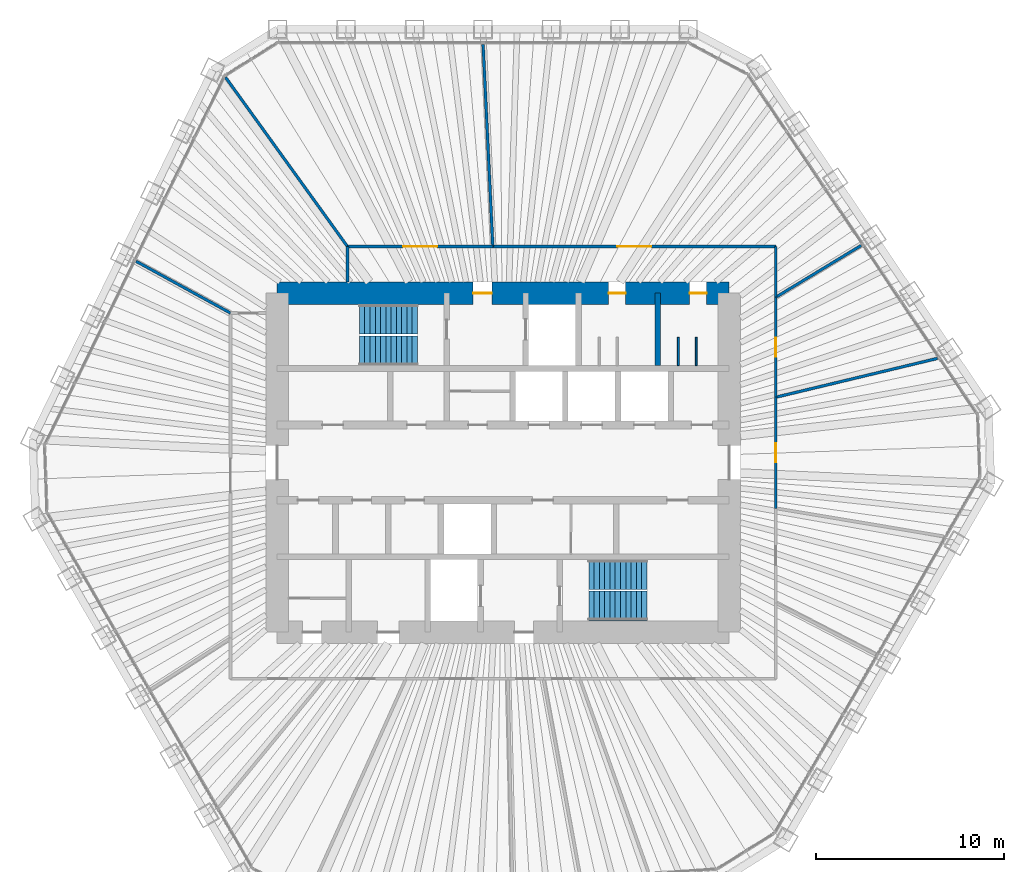
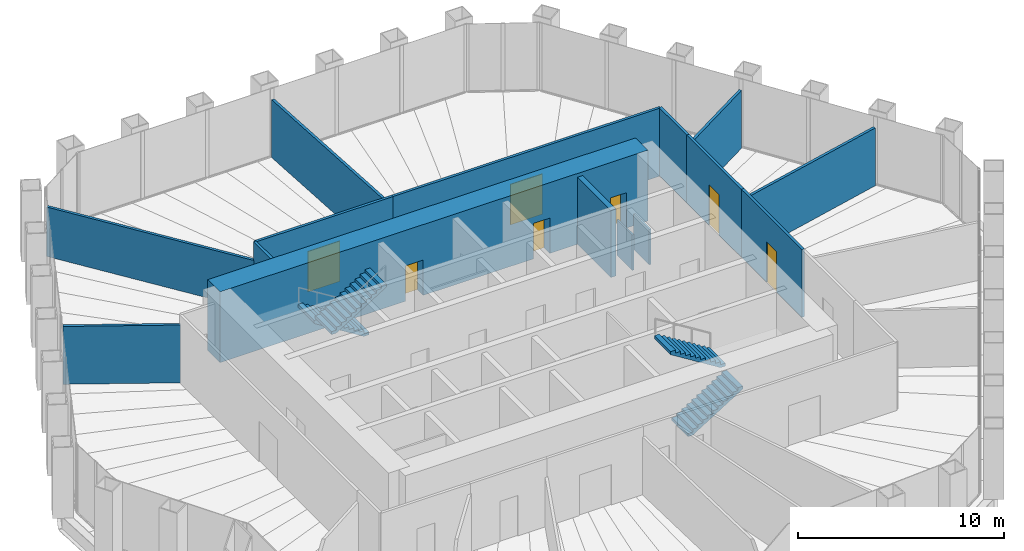
# One storey, part 12 of 13: 15 walls, 7 doors, 4 stair flights, 7 openings, 2 elements without a shape of their own.
"""IFC4 building model written with IfcOpenShell, lengths in metres."""

from ifc_helpers import new_model, si_unit, direction, frame, frame_2d, origin, place, context, subcontext, project, spatial, polyline, rectangle, outline, extrude, material, layer, layer_set, type_object, element, fill, aggregate, save


model = new_model("IFC4")

# Units and contexts
model_context = context("Model", 3, precision=1e-05, world=origin(), true_north=direction((0.0, 1.0)))
body_context = subcontext(model_context, "Body", "Model", "MODEL_VIEW")
ifc_project = project(units=[si_unit("LENGTHUNIT", "METRE"), si_unit("AREAUNIT", "SQUARE_METRE"), si_unit("VOLUMEUNIT", "CUBIC_METRE"), si_unit("PLANEANGLEUNIT", "RADIAN"), si_unit("MASSUNIT", "GRAM", prefix="KILO")], contexts=[model_context])

# Site, building, storey
site_placement = place(None, origin())
site = spatial("IfcSite", under=ifc_project, at=site_placement, CompositionType="ELEMENT")
building_placement = place(site_placement, origin())
building = spatial("IfcBuilding", under=site, at=building_placement, Name="Qingtian Harvest Tower", CompositionType="ELEMENT")
storey_placement = place(building_placement, frame((0.0, 0.0, 226.60009765625)))
storey = spatial("IfcBuildingStorey", under=building, at=storey_placement, Name="L49", CompositionType="ELEMENT", Elevation=226.60009765625)

# Wall
ifc_material_1 = material(Name="Precast concrete shaft panel", Category="concrete")
ifc_layer_1 = layer(ifc_material_1, 0.300048828125)
ifc_layer_set_1 = layer_set([ifc_layer_1], Name="Core shaft partition SW1 300")
wall_type_1 = type_object("IfcWallType", Name="Core shaft partition SW1 300", PredefinedType="PARTITIONING", material=ifc_layer_set_1)
wall_1_placement = place(storey_placement, frame((8.199951171875, 5.14990234375, 0.0), z_axis=(0.0, 0.0, 1.0), x_axis=(0.0, 1.0, 0.0)))
element("IfcWall", 1, at=wall_1_placement, inside=storey, type_object=wall_type_1, Name="Core shaft partition XN4 L49", PredefinedType="PARTITIONING", context=body_context, shape_type="SweptSolid", body=[
    extrude(rectangle(XDim=3.85009765625, YDim=0.300048828125, at=frame_2d((1.925048828125, 0.0))), origin(), (0.0, 0.0, 1.0), 3.97998046875),
])

# Wall, openings, doors
ifc_material_2 = material(Name="Concrete fc' 70 MPa", Category="concrete")
ifc_layer_2 = layer(ifc_material_2, 1.199951171875)
ifc_layer_set_2 = layer_set([ifc_layer_2], Name="Core wall RC2 1200")
wall_type_2 = type_object("IfcWallType", Name="Core wall RC2 1200", PredefinedType="SHEAR", material=ifc_layer_set_2)
wall_2_placement = place(storey_placement, frame((-12.0, 9.0, 0.0), z_axis=(0.0, 0.0, 1.0), x_axis=(1.0, 0.0, 0.0)))
wall_2 = element("IfcWall", 2, at=wall_2_placement, inside=storey, type_object=wall_type_2, Name="Core wall CN L49", PredefinedType="SHEAR", context=body_context, shape_type="SweptSolid", body=[
    extrude(rectangle(XDim=24.0, YDim=1.199951171875, at=frame_2d((12.0, 0.0))), origin(), (0.0, 0.0, 1.0), 4.199951171875),
])
opening_1_placement = place(wall_2_placement, frame((10.39990234375, 0.0, 0.0)))
opening_1 = element("IfcOpeningElement", 3, at=opening_1_placement, cuts=wall_2, Name="Opening FD1", PredefinedType="OPENING", context=body_context, shape_type="SweptSolid", body=[
    extrude(rectangle(XDim=1.0, YDim=2.10009765625, at=frame_2d((0.5, 1.050048828125))), frame((0.0, 0.60986328125, 0.0), z_axis=(0.0, -1.0, 0.0), x_axis=(1.0, 0.0, 0.0)), (0.0, 0.0, 1.0), 1.219970703125),
])
opening_2_placement = place(wall_2_placement, frame((17.60009765625, 0.0, 0.0)))
opening_2 = element("IfcOpeningElement", 4, at=opening_2_placement, cuts=wall_2, Name="Opening D1", PredefinedType="OPENING", context=body_context, shape_type="SweptSolid", body=[
    extrude(rectangle(XDim=0.89990234375, YDim=2.10009765625, at=frame_2d((0.449951171875, 1.050048828125))), frame((0.0, 0.60986328125, 0.0), z_axis=(0.0, -1.0, 0.0), x_axis=(1.0, 0.0, 0.0)), (0.0, 0.0, 1.0), 1.219970703125),
])
opening_3_placement = place(wall_2_placement, frame((21.89990234375, 0.0, 0.0)))
opening_3 = element("IfcOpeningElement", 5, at=opening_3_placement, cuts=wall_2, Name="Opening D1", PredefinedType="OPENING", context=body_context, shape_type="SweptSolid", body=[
    extrude(rectangle(XDim=0.89990234375, YDim=2.10009765625, at=frame_2d((0.449951171875, 1.050048828125))), frame((0.0, 0.60986328125, 0.0), z_axis=(0.0, -1.0, 0.0), x_axis=(1.0, 0.0, 0.0)), (0.0, 0.0, 1.0), 1.219970703125),
])
ifc_material_3 = material(Name="Steel-faced door leaf", Category="steel")
door_type_1 = type_object("IfcDoorType", Name="Fire door FD1 single 1 HR", OperationType="SINGLE_SWING_LEFT", PredefinedType="DOOR", material=ifc_material_3)
door_1_placement = place(opening_1_placement, origin())
door_1 = element("IfcDoor", 6, at=door_1_placement, inside=storey, type_object=door_type_1, Name="V1 door L49", OperationType="SINGLE_SWING_LEFT", OverallHeight=2.10009765625, OverallWidth=1.0, PredefinedType="DOOR", context=body_context, shape_type="SweptSolid", body=[
    extrude(rectangle(XDim=1.0, YDim=2.10009765625, at=frame_2d((0.5, 1.050048828125))), frame((0.0, 0.02490234375, 0.0), z_axis=(0.0, -1.0, 0.0), x_axis=(1.0, 0.0, 0.0)), (0.0, 0.0, 1.0), 0.050048828125),
])
fill(opening_1, door_1)
ifc_material_4 = material(Name="Laminated timber door leaf", Category="wood")
door_type_2 = type_object("IfcDoorType", Name="Toilet door D1 single", OperationType="SINGLE_SWING_LEFT", PredefinedType="DOOR", material=ifc_material_4)
door_2_placement = place(opening_2_placement, origin())
door_2 = element("IfcDoor", 7, at=door_2_placement, inside=storey, type_object=door_type_2, Name="WCM door L49", OperationType="SINGLE_SWING_LEFT", OverallHeight=2.10009765625, OverallWidth=0.89990234375, PredefinedType="DOOR", context=body_context, shape_type="SweptSolid", body=[
    extrude(rectangle(XDim=0.89990234375, YDim=2.10009765625, at=frame_2d((0.449951171875, 1.050048828125))), frame((0.0, 0.02490234375, 0.0), z_axis=(0.0, -1.0, 0.0), x_axis=(1.0, 0.0, 0.0)), (0.0, 0.0, 1.0), 0.050048828125),
])
fill(opening_2, door_2)
door_3_placement = place(opening_3_placement, origin())
door_3 = element("IfcDoor", 8, at=door_3_placement, inside=storey, type_object=door_type_2, Name="WCF door L49", OperationType="SINGLE_SWING_LEFT", OverallHeight=2.10009765625, OverallWidth=0.89990234375, PredefinedType="DOOR", context=body_context, shape_type="SweptSolid", body=[
    extrude(rectangle(XDim=0.89990234375, YDim=2.10009765625, at=frame_2d((0.449951171875, 1.050048828125))), frame((0.0, 0.02490234375, 0.0), z_axis=(0.0, -1.0, 0.0), x_axis=(1.0, 0.0, 0.0)), (0.0, 0.0, 1.0), 0.050048828125),
])
fill(opening_3, door_3)

# Walls
ifc_material_5 = material(Name="Gypsum board on steel studs", Category="steel")
ifc_layer_3 = layer(ifc_material_5, 0.14990234375)
ifc_layer_set_3 = layer_set([ifc_layer_3], Name="Partition PT1 150")
wall_type_3 = type_object("IfcWallType", Name="Partition PT1 150", PredefinedType="PARTITIONING", material=ifc_layer_set_3)
wall_3_placement = place(storey_placement, frame((-19.48583984375, 10.6904296875, 0.0), z_axis=(0.0, 0.0, 1.0), x_axis=(0.876724089264, -0.480993629172, 0.0)))
element("IfcWall", 9, at=wall_3_placement, inside=storey, type_object=wall_type_3, Name="Office suite wall L49", PredefinedType="PARTITIONING", context=body_context, shape_type="SweptSolid", body=[
    extrude(rectangle(XDim=5.71533203125, YDim=0.14990234375, at=frame_2d((2.857666015625, 0.0))), origin(), (0.0, 0.0, 1.0), 3.429931640625),
])
wall_4_placement = place(storey_placement, frame((-8.26708984375, 9.60009765625, 0.0), z_axis=(0.0, 0.0, 1.0), x_axis=(0.0, 1.0, 0.0)))
element("IfcWall", 10, at=wall_4_placement, inside=storey, type_object=wall_type_3, Name="Office suite wall L49", PredefinedType="PARTITIONING", context=body_context, shape_type="SweptSolid", body=[
    extrude(rectangle(XDim=1.875, YDim=0.14990234375, at=frame_2d((0.9375, 0.0))), origin(), (0.0, 0.0, 1.0), 4.02978515625),
])
wall_5_placement = place(storey_placement, frame((-14.736572265625, 20.454833984375, 0.0), z_axis=(0.0, 0.0, 1.0), x_axis=(0.584547025688, -0.811359830629, 0.0)))
element("IfcWall", 11, at=wall_5_placement, inside=storey, type_object=wall_type_3, Name="Meeting room wall L49", PredefinedType="PARTITIONING", context=body_context, shape_type="SweptSolid", body=[
    extrude(rectangle(XDim=11.067626953125, YDim=0.14990234375, at=frame_2d((5.53369140625, 0.0))), origin(), (0.0, 0.0, 1.0), 2.929931640625),
])

# Wall, opening, door
wall_6_placement = place(storey_placement, frame((-8.26708984375, 11.47509765625, 0.0), z_axis=(0.0, 0.0, 1.0), x_axis=(1.0, 0.0, 0.0)))
wall_6 = element("IfcWall", 12, at=wall_6_placement, inside=storey, type_object=wall_type_3, Name="Meeting room wall L49", PredefinedType="PARTITIONING", context=body_context, shape_type="SweptSolid", body=[
    extrude(rectangle(XDim=7.7158203125, YDim=0.14990234375, at=frame_2d((3.85791015625, 0.0))), origin(), (0.0, 0.0, 1.0), 4.02978515625),
])
opening_4_placement = place(wall_6_placement, frame((2.957763671875, 0.0, 0.0)))
opening_4 = element("IfcOpeningElement", 13, at=opening_4_placement, cuts=wall_6, Name="Opening D3", PredefinedType="OPENING", context=body_context, shape_type="SweptSolid", body=[
    extrude(rectangle(XDim=1.800048828125, YDim=2.39990234375, at=frame_2d((0.89990234375, 1.199951171875))), frame((0.0, 0.0849609375, 0.0), z_axis=(0.0, -1.0, 0.0), x_axis=(1.0, 0.0, 0.0)), (0.0, 0.0, 1.0), 0.169921875),
])
ifc_material_6 = material(Name="Laminated timber door leaf", Category="wood")
door_type_3 = type_object("IfcDoorType", Name="Room door D3 double", OperationType="DOUBLE_DOOR_DOUBLE_SWING", PredefinedType="DOOR", material=ifc_material_6)
door_4_placement = place(opening_4_placement, origin())
door_4 = element("IfcDoor", 14, at=door_4_placement, inside=storey, type_object=door_type_3, Name="Meeting room door L49", OperationType="DOUBLE_DOOR_DOUBLE_SWING", OverallHeight=2.39990234375, OverallWidth=1.800048828125, PredefinedType="DOOR", context=body_context, shape_type="SweptSolid", body=[
    extrude(rectangle(XDim=1.800048828125, YDim=2.39990234375, at=frame_2d((0.89990234375, 1.199951171875))), frame((0.0, 0.02490234375, 0.0), z_axis=(0.0, -1.0, 0.0), x_axis=(1.0, 0.0, 0.0)), (0.0, 0.0, 1.0), 0.050048828125),
])
fill(opening_4, door_4)

# Wall
wall_7_placement = place(storey_placement, frame((-1.066650390625, 22.2001953125, 0.0), z_axis=(0.0, 0.0, 1.0), x_axis=(0.047998335863, -0.998847415652, 0.0)))
element("IfcWall", 15, at=wall_7_placement, inside=storey, type_object=wall_type_3, Name="Office suite wall L49", PredefinedType="PARTITIONING", context=body_context, shape_type="SweptSolid", body=[
    extrude(rectangle(XDim=10.737548828125, YDim=0.14990234375, at=frame_2d((5.36865234375, 0.0))), origin(), (0.0, 0.0, 1.0), 3.429931640625),
])

# Wall, opening, door
wall_8_placement = place(storey_placement, frame((-0.55126953125, 11.47509765625, 0.0), z_axis=(0.0, 0.0, 1.0), x_axis=(1.0, 0.0, 0.0)))
wall_8 = element("IfcWall", 16, at=wall_8_placement, inside=storey, type_object=wall_type_3, Name="Office suite wall L49", PredefinedType="PARTITIONING", context=body_context, shape_type="SweptSolid", body=[
    extrude(rectangle(XDim=15.0263671875, YDim=0.14990234375, at=frame_2d((7.51318359375, 0.0))), origin(), (0.0, 0.0, 1.0), 4.02978515625),
])
opening_5_placement = place(wall_8_placement, frame((6.613037109375, 0.0, 0.0)))
opening_5 = element("IfcOpeningElement", 17, at=opening_5_placement, cuts=wall_8, Name="Opening D3", PredefinedType="OPENING", context=body_context, shape_type="SweptSolid", body=[
    extrude(rectangle(XDim=1.800048828125, YDim=2.39990234375, at=frame_2d((0.89990234375, 1.199951171875))), frame((0.0, 0.0849609375, 0.0), z_axis=(0.0, -1.0, 0.0), x_axis=(1.0, 0.0, 0.0)), (0.0, 0.0, 1.0), 0.169921875),
])
door_5_placement = place(opening_5_placement, origin())
door_5 = element("IfcDoor", 18, at=door_5_placement, inside=storey, type_object=door_type_3, Name="Office suite door L49", OperationType="DOUBLE_DOOR_DOUBLE_SWING", OverallHeight=2.39990234375, OverallWidth=1.800048828125, PredefinedType="DOOR", context=body_context, shape_type="SweptSolid", body=[
    extrude(rectangle(XDim=1.800048828125, YDim=2.39990234375, at=frame_2d((0.89990234375, 1.199951171875))), frame((0.0, 0.02490234375, 0.0), z_axis=(0.0, -1.0, 0.0), x_axis=(1.0, 0.0, 0.0)), (0.0, 0.0, 1.0), 0.050048828125),
])
fill(opening_5, door_5)

# Walls
wall_9_placement = place(storey_placement, frame((14.47509765625, 11.47509765625, 0.0), z_axis=(0.0, 0.0, 1.0), x_axis=(0.0, -1.0, 0.0)))
element("IfcWall", 19, at=wall_9_placement, inside=storey, type_object=wall_type_3, Name="Office suite wall L49", PredefinedType="PARTITIONING", context=body_context, shape_type="SweptSolid", body=[
    extrude(rectangle(XDim=2.691650390625, YDim=0.14990234375, at=frame_2d((1.345703125, 0.0))), origin(), (0.0, 0.0, 1.0), 4.02978515625),
])
wall_10_placement = place(storey_placement, frame((19.001220703125, 11.530029296875, 0.0), z_axis=(0.0, 0.0, 1.0), x_axis=(-0.854906581035, -0.518781975114, 0.0)))
element("IfcWall", 20, at=wall_10_placement, inside=storey, type_object=wall_type_3, Name="Pantry wall L49", PredefinedType="PARTITIONING", context=body_context, shape_type="SweptSolid", body=[
    extrude(rectangle(XDim=5.294189453125, YDim=0.14990234375, at=frame_2d((2.64697265625, 0.0))), origin(), (0.0, 0.0, 1.0), 3.429931640625),
])

# Wall, opening, door
wall_11_placement = place(storey_placement, frame((14.47509765625, 8.783447265625, 0.0), z_axis=(0.0, 0.0, 1.0), x_axis=(0.0, -1.0, 0.0)))
wall_11 = element("IfcWall", 21, at=wall_11_placement, inside=storey, type_object=wall_type_3, Name="Pantry wall L49", PredefinedType="PARTITIONING", context=body_context, shape_type="SweptSolid", body=[
    extrude(rectangle(XDim=5.308837890625, YDim=0.14990234375, at=frame_2d((2.654296875, 0.0))), origin(), (0.0, 0.0, 1.0), 4.02978515625),
])
opening_6_placement = place(wall_11_placement, frame((2.154296875, 0.0, 0.0)))
opening_6 = element("IfcOpeningElement", 22, at=opening_6_placement, cuts=wall_11, Name="Opening D2", PredefinedType="OPENING", context=body_context, shape_type="SweptSolid", body=[
    extrude(rectangle(XDim=1.0, YDim=2.39990234375, at=frame_2d((0.5, 1.199951171875))), frame((0.0, 0.0849609375, 0.0), z_axis=(0.0, -1.0, 0.0), x_axis=(1.0, 0.0, 0.0)), (0.0, 0.0, 1.0), 0.169921875),
])
ifc_material_7 = material(Name="Laminated timber door leaf", Category="wood")
door_type_4 = type_object("IfcDoorType", Name="Room door D2 single", OperationType="SINGLE_SWING_LEFT", PredefinedType="DOOR", material=ifc_material_7)
door_6_placement = place(opening_6_placement, origin())
door_6 = element("IfcDoor", 23, at=door_6_placement, inside=storey, type_object=door_type_4, Name="Pantry door L49", OperationType="SINGLE_SWING_LEFT", OverallHeight=2.39990234375, OverallWidth=1.0, PredefinedType="DOOR", context=body_context, shape_type="SweptSolid", body=[
    extrude(rectangle(XDim=1.0, YDim=2.39990234375, at=frame_2d((0.5, 1.199951171875))), frame((0.0, 0.02490234375, 0.0), z_axis=(0.0, -1.0, 0.0), x_axis=(1.0, 0.0, 0.0)), (0.0, 0.0, 1.0), 0.050048828125),
])
fill(opening_6, door_6)

# Wall
wall_12_placement = place(storey_placement, frame((23.052978515625, 5.53369140625, 0.0), z_axis=(0.0, 0.0, 1.0), x_axis=(-0.972377252501, -0.233414821335, 0.0)))
element("IfcWall", 24, at=wall_12_placement, inside=storey, type_object=wall_type_3, Name="Private office wall L49", PredefinedType="PARTITIONING", context=body_context, shape_type="SweptSolid", body=[
    extrude(rectangle(XDim=8.821533203125, YDim=0.14990234375, at=frame_2d((4.41064453125, 0.0))), origin(), (0.0, 0.0, 1.0), 3.429931640625),
])

# Wall, opening, door
wall_13_placement = place(storey_placement, frame((14.47509765625, 3.474609375, 0.0), z_axis=(0.0, 0.0, 1.0), x_axis=(0.0, -1.0, 0.0)))
wall_13 = element("IfcWall", 25, at=wall_13_placement, inside=storey, type_object=wall_type_3, Name="Private office wall L49", PredefinedType="PARTITIONING", context=body_context, shape_type="SweptSolid", body=[
    extrude(rectangle(XDim=5.896484375, YDim=0.14990234375, at=frame_2d((2.9482421875, 0.0))), origin(), (0.0, 0.0, 1.0), 4.02978515625),
])
opening_7_placement = place(wall_13_placement, frame((2.4482421875, 0.0, 0.0)))
opening_7 = element("IfcOpeningElement", 26, at=opening_7_placement, cuts=wall_13, Name="Opening D2", PredefinedType="OPENING", context=body_context, shape_type="SweptSolid", body=[
    extrude(rectangle(XDim=1.0, YDim=2.39990234375, at=frame_2d((0.5, 1.199951171875))), frame((0.0, 0.0849609375, 0.0), z_axis=(0.0, -1.0, 0.0), x_axis=(1.0, 0.0, 0.0)), (0.0, 0.0, 1.0), 0.169921875),
])
door_7_placement = place(opening_7_placement, origin())
door_7 = element("IfcDoor", 27, at=door_7_placement, inside=storey, type_object=door_type_4, Name="Private office door L49", OperationType="SINGLE_SWING_RIGHT", OverallHeight=2.39990234375, OverallWidth=1.0, PredefinedType="DOOR", context=body_context, shape_type="SweptSolid", body=[
    extrude(rectangle(XDim=1.0, YDim=2.39990234375, at=frame_2d((0.5, 1.199951171875))), frame((0.0, 0.02490234375, 0.0), z_axis=(0.0, -1.0, 0.0), x_axis=(1.0, 0.0, 0.0)), (0.0, 0.0, 1.0), 0.050048828125),
])
fill(opening_7, door_7)

# Walls
ifc_material_8 = material(Name="Compact laminate cubicle partition", Category="plastic")
ifc_layer_4 = layer(ifc_material_8, 0.10009765625)
ifc_layer_set_4 = layer_set([ifc_layer_4], Name="WC cubicle partition WP1 100")
wall_type_4 = type_object("IfcWallType", Name="WC cubicle partition WP1 100", PredefinedType="PARTITIONING", material=ifc_layer_set_4)
for number, where, z_axis, x_axis, name in (
    (28, (9.300048828125, 5.14990234375, 0.0), (0.0, 0.0, 1.0), (0.0, 1.0, 0.0), "WC cubicle partition WCF L49"),
    (29, (10.25, 5.14990234375, 0.0), (0.0, 0.0, 1.0), (0.0, 1.0, 0.0), "WC cubicle partition WCF L49"),
):
    element("IfcWall", number, at=place(storey_placement, frame(where, z_axis=z_axis, x_axis=x_axis)), inside=storey, type_object=wall_type_4, Name=name, PredefinedType="PARTITIONING", context=body_context, shape_type="SweptSolid", body=[
        extrude(rectangle(XDim=1.5, YDim=0.10009765625, at=frame_2d((0.75, 0.0))), origin(), (0.0, 0.0, 1.0), 2.099853515625),
    ])

# Stair, stair flights
ifc_material_9 = material(Name="Concrete fc' 35 MPa", Category="concrete")
stair_type = type_object("IfcStairType", Name="Special stair ST4 4200", PredefinedType="HALF_TURN_STAIR", material=ifc_material_9)
stair_1_placement = place(storey_placement, origin())
stair_1 = element("IfcStair", 30, at=stair_1_placement, inside=storey, type_object=stair_type, Name="Special stair S1 L49", PredefinedType="HALF_TURN_STAIR")
ifc_material_10 = material(Name="Concrete fc' 35 MPa", Category="concrete")
stair_flight_type = type_object("IfcStairFlightType", Name="Stair flight SF4 4200", PredefinedType="STRAIGHT", material=ifc_material_10)
stair_flight_1_placement = place(storey_placement, frame((-4.550048828125, 7.612548828125, 0.0), z_axis=(0.0, 0.0, 1.0), x_axis=(-1.0, 0.0, 0.0)))
stair_flight_1 = element("IfcStairFlight", 31, at=stair_flight_1_placement, type_object=stair_flight_type, Name="S1 flight 1", NumberOfRisers=12, NumberOfTreads=11, PredefinedType="STRAIGHT", RiserHeight=0.175, TreadLength=0.28, context=body_context, shape_type="SweptSolid", body=[
    extrude(outline(polyline([(0.0, 0.0), (0.0, 0.175048828125), (0.280029296875, 0.175048828125), (0.280029296875, 0.35009765625), (0.56005859375, 0.35009765625), (0.56005859375, 0.52490234375), (0.840087890625, 0.52490234375), (0.840087890625, 0.699951171875), (1.1201171875, 0.699951171875), (1.1201171875, 0.875), (1.39990234375, 0.875), (1.39990234375, 1.050048828125), (1.679931640625, 1.050048828125), (1.679931640625, 1.22509765625), (1.9599609375, 1.22509765625), (1.9599609375, 1.39990234375), (2.239990234375, 1.39990234375), (2.239990234375, 1.574951171875), (2.52001953125, 1.574951171875), (2.52001953125, 1.75), (2.800048828125, 1.75), (2.800048828125, 1.925048828125), (3.080078125, 1.925048828125), (3.080078125, 2.10009765625), (3.080078125, 1.748291015625), (0.28271484375, 0.0), (0.0, 0.0)])), frame((0.0, 0.78759765625, 0.0), z_axis=(0.0, -1.0, 0.0), x_axis=(1.0, 0.0, 0.0)), (0.0, 0.0, 1.0), 1.574951171875),
])
stair_flight_2_placement = place(storey_placement, frame((-7.6298828125, 5.9375, 2.099853515625), z_axis=(0.0, 0.0, 1.0), x_axis=(1.0, 0.0, 0.0)))
stair_flight_2 = element("IfcStairFlight", 32, at=stair_flight_2_placement, type_object=stair_flight_type, Name="S1 flight 2", NumberOfRisers=12, NumberOfTreads=11, PredefinedType="STRAIGHT", RiserHeight=0.175, TreadLength=0.28, context=body_context, shape_type="SweptSolid", body=[
    extrude(outline(polyline([(0.0, 0.0), (0.0, 0.175048828125), (0.280029296875, 0.175048828125), (0.280029296875, 0.35009765625), (0.56005859375, 0.35009765625), (0.56005859375, 0.52490234375), (0.840087890625, 0.52490234375), (0.840087890625, 0.699951171875), (1.1201171875, 0.699951171875), (1.1201171875, 0.875), (1.39990234375, 0.875), (1.39990234375, 1.050048828125), (1.679931640625, 1.050048828125), (1.679931640625, 1.22509765625), (1.9599609375, 1.22509765625), (1.9599609375, 1.39990234375), (2.239990234375, 1.39990234375), (2.239990234375, 1.574951171875), (2.52001953125, 1.574951171875), (2.52001953125, 1.75), (2.800048828125, 1.75), (2.800048828125, 1.925048828125), (3.080078125, 1.925048828125), (3.080078125, 2.10009765625), (3.080078125, 1.748291015625), (0.28271484375, 0.0), (0.0, 0.0)])), frame((0.0, 0.78759765625, 0.0), z_axis=(0.0, -1.0, 0.0), x_axis=(1.0, 0.0, 0.0)), (0.0, 0.0, 1.0), 1.574951171875),
])
aggregate(stair_1, [stair_flight_1, stair_flight_2])

stair_2_placement = place(storey_placement, origin())
stair_2 = element("IfcStair", 33, at=stair_2_placement, inside=storey, type_object=stair_type, Name="Special stair S2 L49", PredefinedType="HALF_TURN_STAIR")
stair_flight_3_placement = place(storey_placement, frame((4.550048828125, -7.612548828125, 0.0), z_axis=(0.0, 0.0, 1.0), x_axis=(1.0, 0.0, 0.0)))
stair_flight_3 = element("IfcStairFlight", 34, at=stair_flight_3_placement, type_object=stair_flight_type, Name="S2 flight 1", NumberOfRisers=12, NumberOfTreads=11, PredefinedType="STRAIGHT", RiserHeight=0.175, TreadLength=0.28, context=body_context, shape_type="SweptSolid", body=[
    extrude(outline(polyline([(0.0, 0.0), (0.0, 0.175048828125), (0.280029296875, 0.175048828125), (0.280029296875, 0.35009765625), (0.56005859375, 0.35009765625), (0.56005859375, 0.52490234375), (0.840087890625, 0.52490234375), (0.840087890625, 0.699951171875), (1.1201171875, 0.699951171875), (1.1201171875, 0.875), (1.39990234375, 0.875), (1.39990234375, 1.050048828125), (1.679931640625, 1.050048828125), (1.679931640625, 1.22509765625), (1.9599609375, 1.22509765625), (1.9599609375, 1.39990234375), (2.239990234375, 1.39990234375), (2.239990234375, 1.574951171875), (2.52001953125, 1.574951171875), (2.52001953125, 1.75), (2.800048828125, 1.75), (2.800048828125, 1.925048828125), (3.080078125, 1.925048828125), (3.080078125, 2.10009765625), (3.080078125, 1.748291015625), (0.28271484375, 0.0), (0.0, 0.0)])), frame((0.0, 0.78759765625, 0.0), z_axis=(0.0, -1.0, 0.0), x_axis=(1.0, 0.0, 0.0)), (0.0, 0.0, 1.0), 1.574951171875),
])
stair_flight_4_placement = place(storey_placement, frame((7.6298828125, -5.9375, 2.099853515625), z_axis=(0.0, 0.0, 1.0), x_axis=(-1.0, 0.0, 0.0)))
stair_flight_4 = element("IfcStairFlight", 35, at=stair_flight_4_placement, type_object=stair_flight_type, Name="S2 flight 2", NumberOfRisers=12, NumberOfTreads=11, PredefinedType="STRAIGHT", RiserHeight=0.175, TreadLength=0.28, context=body_context, shape_type="SweptSolid", body=[
    extrude(outline(polyline([(0.0, 0.0), (0.0, 0.175048828125), (0.280029296875, 0.175048828125), (0.280029296875, 0.35009765625), (0.56005859375, 0.35009765625), (0.56005859375, 0.52490234375), (0.840087890625, 0.52490234375), (0.840087890625, 0.699951171875), (1.1201171875, 0.699951171875), (1.1201171875, 0.875), (1.39990234375, 0.875), (1.39990234375, 1.050048828125), (1.679931640625, 1.050048828125), (1.679931640625, 1.22509765625), (1.9599609375, 1.22509765625), (1.9599609375, 1.39990234375), (2.239990234375, 1.39990234375), (2.239990234375, 1.574951171875), (2.52001953125, 1.574951171875), (2.52001953125, 1.75), (2.800048828125, 1.75), (2.800048828125, 1.925048828125), (3.080078125, 1.925048828125), (3.080078125, 2.10009765625), (3.080078125, 1.748291015625), (0.28271484375, 0.0), (0.0, 0.0)])), frame((0.0, 0.78759765625, 0.0), z_axis=(0.0, -1.0, 0.0), x_axis=(1.0, 0.0, 0.0)), (0.0, 0.0, 1.0), 1.574951171875),
])
aggregate(stair_2, [stair_flight_3, stair_flight_4])

save(model, "model.ifc")
